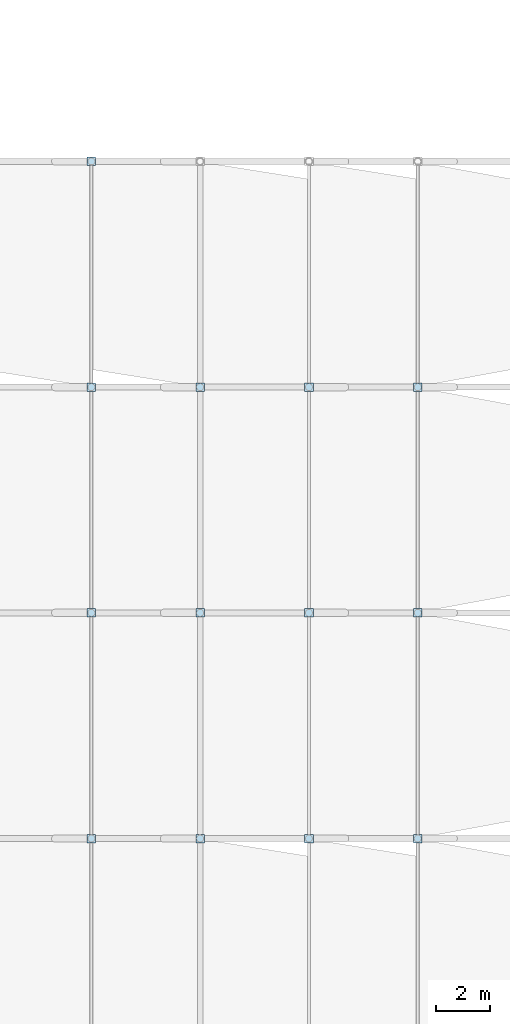
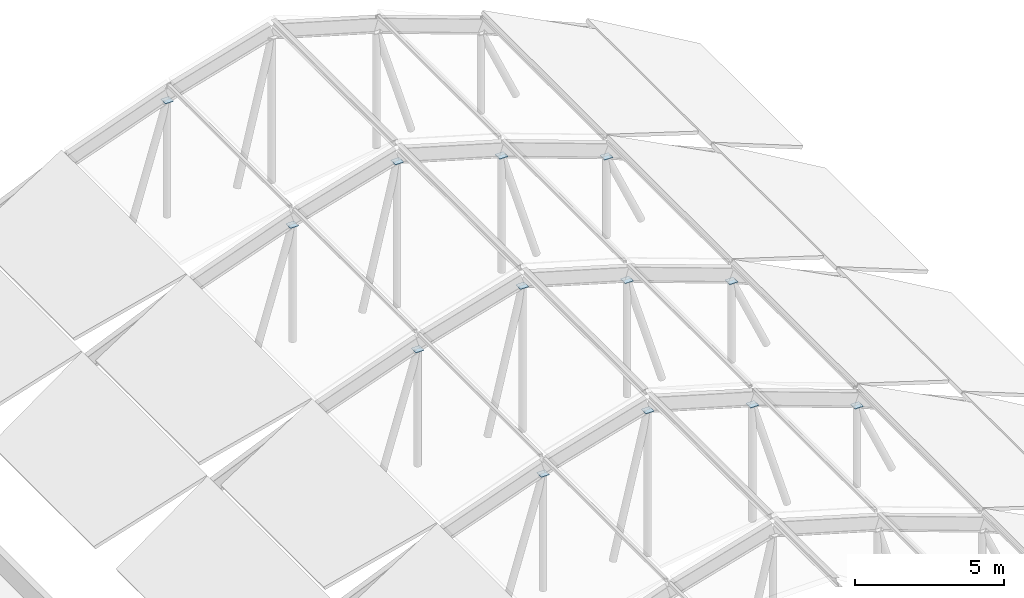
# One storey, part 19 of 22: 13 plates.
"""IFC4 building model written with IfcOpenShell, lengths in metres."""

from ifc_helpers import new_model, si_unit, direction, frame, origin, origin_2d, place, context, subcontext, project, spatial, rectangle, extrude, material, layer, layer_set, type_object, element, save


model = new_model("IFC4")

# Units and contexts
model_context = context("Model", 3, precision=1e-05, world=origin(), true_north=direction((0.0, 1.0)))
body_context = subcontext(model_context, "Body", "Model", "MODEL_VIEW")
ifc_project = project(units=[si_unit("LENGTHUNIT", "METRE"), si_unit("AREAUNIT", "SQUARE_METRE"), si_unit("VOLUMEUNIT", "CUBIC_METRE"), si_unit("PLANEANGLEUNIT", "RADIAN"), si_unit("MASSUNIT", "GRAM", prefix="KILO")], contexts=[model_context])

# Site, building, storey
site_placement = place(None, origin())
site = spatial("IfcSite", under=ifc_project, at=site_placement, CompositionType="ELEMENT")
building_placement = place(site_placement, origin())
building = spatial("IfcBuilding", under=site, at=building_placement, Name="Vireocrest Preparatory School", CompositionType="ELEMENT")
storey_placement = place(building_placement, frame((0.0, 0.0, 25.800048828125)))
storey = spatial("IfcBuildingStorey", under=building, at=storey_placement, Name="RF", CompositionType="ELEMENT", Elevation=25.800048828125)

# Plates
ifc_material = material(Name="Structural steel ASTM A572 Grade 50", Category="steel")
ifc_layer = layer(ifc_material, 0.02001953125)
ifc_layer_set = layer_set([ifc_layer], Name="Structural steel ASTM A572 Grade 50")
plate_type = type_object("IfcPlateType", Name="Hollow Section Steel End Cap Plate 20", PredefinedType="SHEET", material=ifc_layer_set)
for number, where, z_axis, x_axis, name in (
    (1, (75.75, 60.60009765625, 2.10791015625), (0.0, 0.0, 1.0), (1.0, 0.0, 0.0), "Canopy Web Cap CP1-5-3T"),
    (2, (79.800048828125, 60.60009765625, 3.287841796875), (0.0, 0.0, 1.0), (1.0, 0.0, 0.0), "Canopy Web Cap CP1-5-4T"),
    (3, (83.85009765625, 60.60009765625, 2.10791015625), (0.0, 0.0, 1.0), (1.0, 0.0, 0.0), "Canopy Web Cap CP1-5-5T"),
    (4, (87.89990234375, 60.60009765625, 0.64794921875), (0.0, 0.0, 1.0), (1.0, 0.0, 0.0), "Canopy Web Cap CP1-5-6T"),
    (5, (75.75, 69.0, 2.10791015625), (0.0, 0.0, 1.0), (1.0, 0.0, 0.0), "Canopy Web Cap CP1-6-3T"),
    (6, (79.800048828125, 69.0, 3.287841796875), (0.0, 0.0, 1.0), (1.0, 0.0, 0.0), "Canopy Web Cap CP1-6-4T"),
    (7, (83.85009765625, 69.0, 2.10791015625), (0.0, 0.0, 1.0), (1.0, 0.0, 0.0), "Canopy Web Cap CP1-6-5T"),
    (8, (87.89990234375, 69.0, 0.64794921875), (0.0, 0.0, 1.0), (1.0, 0.0, 0.0), "Canopy Web Cap CP1-6-6T"),
    (9, (75.75, 77.39990234375, 2.10791015625), (0.0, 0.0, 1.0), (1.0, 0.0, 0.0), "Canopy Web Cap CP1-7-3T"),
    (10, (79.800048828125, 77.39990234375, 3.287841796875), (0.0, 0.0, 1.0), (1.0, 0.0, 0.0), "Canopy Web Cap CP1-7-4T"),
    (11, (83.85009765625, 77.39990234375, 2.10791015625), (0.0, 0.0, 1.0), (1.0, 0.0, 0.0), "Canopy Web Cap CP1-7-5T"),
    (12, (87.89990234375, 77.39990234375, 0.64794921875), (0.0, 0.0, 1.0), (1.0, 0.0, 0.0), "Canopy Web Cap CP1-7-6T"),
    (13, (75.75, 85.800048828125, 2.10791015625), (0.0, 0.0, 1.0), (1.0, 0.0, 0.0), "Canopy Web Cap CP1-8-3T"),
):
    element("IfcPlate", number, at=place(storey_placement, frame(where, z_axis=z_axis, x_axis=x_axis)), inside=storey, type_object=plate_type, Name=name, PredefinedType="SHEET", context=body_context, shape_type="SweptSolid", body=[
        extrude(rectangle(XDim=0.320068359375, YDim=0.320068359375, at=origin_2d()), origin(), (0.0, 0.0, 1.0), 0.02001953125),
    ])

save(model, "model.ifc")
